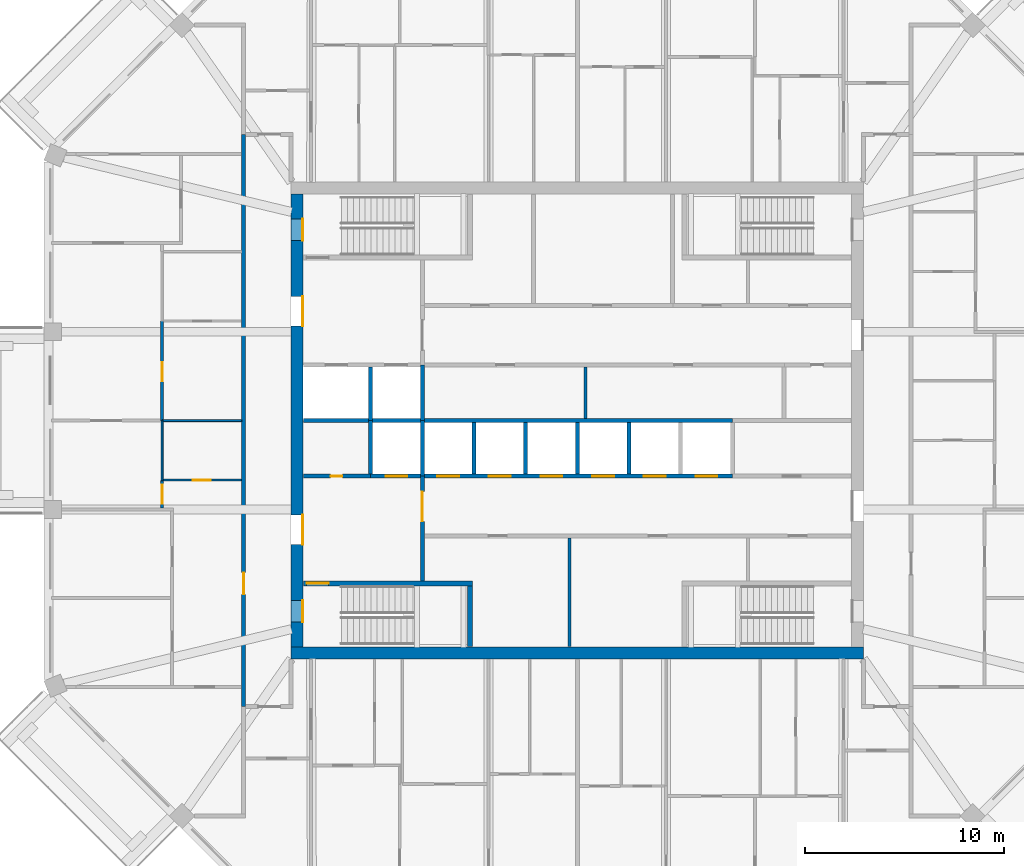
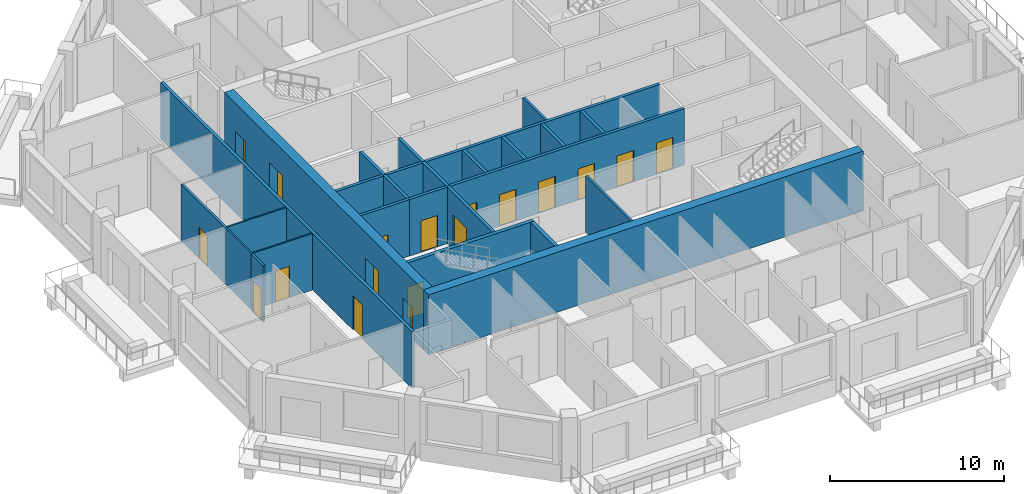
# One storey, part 4 of 13: 24 walls, 18 doors, 18 openings.
"""IFC4 building model written with IfcOpenShell, lengths in metres."""

from ifc_helpers import new_model, si_unit, direction, frame, frame_2d, origin, place, context, subcontext, project, spatial, rectangle, extrude, material, layer, layer_set, type_object, element, fill, save


model = new_model("IFC4")

# Units and contexts
model_context = context("Model", 3, precision=1e-05, world=origin(), true_north=direction((0.0, 1.0)))
body_context = subcontext(model_context, "Body", "Model", "MODEL_VIEW")
ifc_project = project(units=[si_unit("LENGTHUNIT", "METRE"), si_unit("AREAUNIT", "SQUARE_METRE"), si_unit("VOLUMEUNIT", "CUBIC_METRE"), si_unit("PLANEANGLEUNIT", "RADIAN"), si_unit("MASSUNIT", "GRAM", prefix="KILO")], contexts=[model_context])

# Site, building, storey
site_placement = place(None, origin())
site = spatial("IfcSite", under=ifc_project, at=site_placement, CompositionType="ELEMENT")
building_placement = place(site_placement, origin())
building = spatial("IfcBuilding", under=site, at=building_placement, Name="Msitu Wima Residences", CompositionType="ELEMENT")
storey_placement = place(building_placement, frame((0.0, 0.0, 281.10009765625)))
storey = spatial("IfcBuildingStorey", under=building, at=storey_placement, Name="L65", CompositionType="ELEMENT", Elevation=281.10009765625)

# Wall
ifc_material_1 = material(Name="Concrete C50/60", Category="concrete")
ifc_layer_1 = layer(ifc_material_1, 0.60009765625)
ifc_layer_set_1 = layer_set([ifc_layer_1], Name="Concrete C50/60")
wall_type_1 = type_object("IfcWallType", Name="Core wall CW600 C50/60", PredefinedType="SHEAR", material=ifc_layer_set_1)
wall_1_placement = place(storey_placement, frame((-14.39990234375, -11.699951171875, 0.0), z_axis=(0.0, 0.0, 1.0), x_axis=(1.0, 0.0, 0.0)))
element("IfcWall", 1, at=wall_1_placement, inside=storey, type_object=wall_type_1, Name="Core wall", PredefinedType="SHEAR", context=body_context, shape_type="SweptSolid", body=[
    extrude(rectangle(XDim=28.7998046875, YDim=0.60009765625, at=frame_2d((14.39990234375, 0.0))), origin(), (0.0, 0.0, 1.0), 4.199951171875),
])

# Wall, openings, doors
wall_2_placement = place(storey_placement, frame((-14.10009765625, -11.39990234375, 0.0), z_axis=(0.0, 0.0, 1.0), x_axis=(0.0, 1.0, 0.0)))
wall_2 = element("IfcWall", 2, at=wall_2_placement, inside=storey, type_object=wall_type_1, Name="Core wall", PredefinedType="SHEAR", context=body_context, shape_type="SweptSolid", body=[
    extrude(rectangle(XDim=22.7998046875, YDim=0.60009765625, at=frame_2d((11.39990234375, 0.0))), origin(), (0.0, 0.0, 1.0), 4.199951171875),
])
opening_1_placement = place(wall_2_placement, frame((20.449951171875, 0.0, 0.0)))
opening_1 = element("IfcOpeningElement", 3, at=opening_1_placement, cuts=wall_2, Name="Opening D65-67.092", PredefinedType="OPENING", context=body_context, shape_type="SweptSolid", body=[
    extrude(rectangle(XDim=1.10009765625, YDim=2.199951171875, at=frame_2d((0.550048828125, 1.10009765625))), frame((0.0, 0.31005859375, 0.0), z_axis=(0.0, -1.0, 0.0), x_axis=(1.0, 0.0, 0.0)), (0.0, 0.0, 1.0), 0.6201171875),
])
opening_2_placement = place(wall_2_placement, frame((1.25, 0.0, 0.0)))
opening_2 = element("IfcOpeningElement", 4, at=opening_2_placement, cuts=wall_2, Name="Opening D65-67.094", PredefinedType="OPENING", context=body_context, shape_type="SweptSolid", body=[
    extrude(rectangle(XDim=1.10009765625, YDim=2.199951171875, at=frame_2d((0.550048828125, 1.10009765625))), frame((0.0, 0.31005859375, 0.0), z_axis=(0.0, -1.0, 0.0), x_axis=(1.0, 0.0, 0.0)), (0.0, 0.0, 1.0), 0.6201171875),
])
opening_3_placement = place(wall_2_placement, frame((16.14990234375, 0.0, 0.0)))
opening_3 = element("IfcOpeningElement", 5, at=opening_3_placement, cuts=wall_2, Name="Opening D65-67.075", PredefinedType="OPENING", context=body_context, shape_type="SweptSolid", body=[
    extrude(rectangle(XDim=1.5, YDim=2.39990234375, at=frame_2d((0.75, 1.199951171875))), frame((0.0, 0.31005859375, 0.0), z_axis=(0.0, -1.0, 0.0), x_axis=(1.0, 0.0, 0.0)), (0.0, 0.0, 1.0), 0.6201171875),
])
opening_4_placement = place(wall_2_placement, frame((5.14990234375, 0.0, 0.0)))
opening_4 = element("IfcOpeningElement", 6, at=opening_4_placement, cuts=wall_2, Name="Opening D65-67.077", PredefinedType="OPENING", context=body_context, shape_type="SweptSolid", body=[
    extrude(rectangle(XDim=1.5, YDim=2.39990234375, at=frame_2d((0.75, 1.199951171875))), frame((0.0, 0.31005859375, 0.0), z_axis=(0.0, -1.0, 0.0), x_axis=(1.0, 0.0, 0.0)), (0.0, 0.0, 1.0), 0.6201171875),
])
ifc_material_2 = material(Name="Steel framed glazed door, fire resisting", Category="steel")
door_type_1 = type_object("IfcDoorType", Name="Lobby door D07 1500x2400", OperationType="DOUBLE_DOOR_SINGLE_SWING", PredefinedType="DOOR", material=ifc_material_2)
door_1_placement = place(opening_3_placement, origin())
door_1 = element("IfcDoor", 7, at=door_1_placement, inside=storey, type_object=door_type_1, Name="Lobby door", OperationType="DOUBLE_DOOR_SINGLE_SWING", OverallHeight=2.39990234375, OverallWidth=1.5, PredefinedType="DOOR", context=body_context, shape_type="SweptSolid", body=[
    extrude(rectangle(XDim=1.5, YDim=2.39990234375, at=frame_2d((0.75, 1.199951171875))), frame((0.0, -0.2451171875, 0.0), z_axis=(0.0, -1.0, 0.0), x_axis=(1.0, 0.0, 0.0)), (0.0, 0.0, 1.0), 0.050048828125),
])
fill(opening_3, door_1)
door_2_placement = place(opening_4_placement, origin())
door_2 = element("IfcDoor", 8, at=door_2_placement, inside=storey, type_object=door_type_1, Name="Lobby door", OperationType="DOUBLE_DOOR_SINGLE_SWING", OverallHeight=2.39990234375, OverallWidth=1.5, PredefinedType="DOOR", context=body_context, shape_type="SweptSolid", body=[
    extrude(rectangle(XDim=1.5, YDim=2.39990234375, at=frame_2d((0.75, 1.199951171875))), frame((0.0, -0.2451171875, 0.0), z_axis=(0.0, -1.0, 0.0), x_axis=(1.0, 0.0, 0.0)), (0.0, 0.0, 1.0), 0.050048828125),
])
fill(opening_4, door_2)
ifc_material_3 = material(Name="Steel door, fire resisting, panic bar", Category="steel")
door_type_2 = type_object("IfcDoorType", Name="Stair door D06 1100x2200", OperationType="SINGLE_SWING_LEFT", PredefinedType="DOOR", material=ifc_material_3)
door_3_placement = place(opening_1_placement, origin())
door_3 = element("IfcDoor", 9, at=door_3_placement, inside=storey, type_object=door_type_2, Name="Stair door", OperationType="SINGLE_SWING_RIGHT", OverallHeight=2.199951171875, OverallWidth=1.10009765625, PredefinedType="DOOR", context=body_context, shape_type="SweptSolid", body=[
    extrude(rectangle(XDim=1.10009765625, YDim=2.199951171875, at=frame_2d((0.550048828125, 1.10009765625))), frame((0.0, -0.2451171875, 0.0), z_axis=(0.0, -1.0, 0.0), x_axis=(1.0, 0.0, 0.0)), (0.0, 0.0, 1.0), 0.050048828125),
])
fill(opening_1, door_3)
door_4_placement = place(opening_2_placement, origin())
door_4 = element("IfcDoor", 10, at=door_4_placement, inside=storey, type_object=door_type_2, Name="Stair door", OperationType="SINGLE_SWING_LEFT", OverallHeight=2.199951171875, OverallWidth=1.10009765625, PredefinedType="DOOR", context=body_context, shape_type="SweptSolid", body=[
    extrude(rectangle(XDim=1.10009765625, YDim=2.199951171875, at=frame_2d((0.550048828125, 1.10009765625))), frame((0.0, -0.2451171875, 0.0), z_axis=(0.0, -1.0, 0.0), x_axis=(1.0, 0.0, 0.0)), (0.0, 0.0, 1.0), 0.050048828125),
])
fill(opening_2, door_4)

# Wall, opening, door
ifc_material_4 = material(Name="Plaster")
ifc_layer_2 = layer(ifc_material_4, 0.011962890625, Name="Plaster")
ifc_material_5 = material(Name="Concrete blockwork", Category="masonry")
ifc_layer_3 = layer(ifc_material_5, 0.176025390625, Name="Concrete blockwork")
ifc_layer_4 = layer(ifc_material_4, 0.011962890625, Name="Plaster")
ifc_layer_set_2 = layer_set([ifc_layer_2, ifc_layer_3, ifc_layer_4], Name="Concrete blockwork")
wall_type_2 = type_object("IfcWallType", Name="Corridor wall FW200", PredefinedType="PARTITIONING", material=ifc_layer_set_2)
wall_3_placement = place(storey_placement, frame((-16.800048828125, -14.39990234375, 0.0), z_axis=(0.0, 0.0, 1.0), x_axis=(0.0, 1.0, 0.0)))
wall_3 = element("IfcWall", 11, at=wall_3_placement, inside=storey, type_object=wall_type_2, Name="Corridor wall", PredefinedType="PARTITIONING", context=body_context, shape_type="SweptSolid", body=[
    extrude(rectangle(XDim=28.7998046875, YDim=0.199951171875, at=frame_2d((14.39990234375, 0.0))), origin(), (0.0, 0.0, 1.0), 3.949951171875),
])
opening_5_placement = place(wall_3_placement, frame((5.64990234375, 0.0, 0.0)))
opening_5 = element("IfcOpeningElement", 12, at=opening_5_placement, cuts=wall_3, Name="Opening D65-67.042", PredefinedType="OPENING", context=body_context, shape_type="SweptSolid", body=[
    extrude(rectangle(XDim=1.10009765625, YDim=2.39990234375, at=frame_2d((0.550048828125, 1.199951171875))), frame((0.0, 0.10986328125, 0.0), z_axis=(0.0, -1.0, 0.0), x_axis=(1.0, 0.0, 0.0)), (0.0, 0.0, 1.0), 0.219970703125),
])
ifc_material_6 = material(Name="Timber flush door, fire resisting, self-closing", Category="wood")
door_type_3 = type_object("IfcDoorType", Name="Flat entrance door D01 1100x2400", OperationType="SINGLE_SWING_LEFT", PredefinedType="DOOR", material=ifc_material_6)
door_5_placement = place(opening_5_placement, origin())
door_5 = element("IfcDoor", 13, at=door_5_placement, inside=storey, type_object=door_type_3, Name="Flat entrance door", OperationType="SINGLE_SWING_LEFT", OverallHeight=2.39990234375, OverallWidth=1.10009765625, PredefinedType="DOOR", context=body_context, shape_type="SweptSolid", body=[
    extrude(rectangle(XDim=1.10009765625, YDim=2.39990234375, at=frame_2d((0.550048828125, 1.199951171875))), frame((0.0, 0.02490234375, 0.0), z_axis=(0.0, -1.0, 0.0), x_axis=(1.0, 0.0, 0.0)), (0.0, 0.0, 1.0), 0.050048828125),
])
fill(opening_5, door_5)

wall_4_placement = place(storey_placement, frame((-7.800048828125, -8.074951171875, 0.0), z_axis=(0.0, 0.0, 1.0), x_axis=(0.0, 1.0, 0.0)))
wall_4 = element("IfcWall", 14, at=wall_4_placement, inside=storey, type_object=wall_type_2, Name="Corridor wall", PredefinedType="PARTITIONING", context=body_context, shape_type="SweptSolid", body=[
    extrude(rectangle(XDim=5.27490234375, YDim=0.199951171875, at=frame_2d((2.637451171875, 0.0))), origin(), (0.0, 0.0, 1.0), 3.949951171875),
])
opening_6_placement = place(wall_4_placement, frame((3.0, 0.0, 0.0)))
opening_6 = element("IfcOpeningElement", 15, at=opening_6_placement, cuts=wall_4, Name="Opening D65-67.078", PredefinedType="OPENING", context=body_context, shape_type="SweptSolid", body=[
    extrude(rectangle(XDim=1.5, YDim=2.39990234375, at=frame_2d((0.75, 1.199951171875))), frame((0.0, 0.10986328125, 0.0), z_axis=(0.0, -1.0, 0.0), x_axis=(1.0, 0.0, 0.0)), (0.0, 0.0, 1.0), 0.219970703125),
])
door_6_placement = place(opening_6_placement, origin())
door_6 = element("IfcDoor", 16, at=door_6_placement, inside=storey, type_object=door_type_1, Name="Lobby door", OperationType="DOUBLE_DOOR_SINGLE_SWING", OverallHeight=2.39990234375, OverallWidth=1.5, PredefinedType="DOOR", context=body_context, shape_type="SweptSolid", body=[
    extrude(rectangle(XDim=1.5, YDim=2.39990234375, at=frame_2d((0.75, 1.199951171875))), frame((0.0, 0.02490234375, 0.0), z_axis=(0.0, -1.0, 0.0), x_axis=(1.0, 0.0, 0.0)), (0.0, 0.0, 1.0), 0.050048828125),
])
fill(opening_6, door_6)

ifc_layer_5 = layer(ifc_material_4, 0.011962890625, Name="Plaster")
ifc_layer_6 = layer(ifc_material_5, 0.1259765625, Name="Concrete blockwork")
ifc_layer_7 = layer(ifc_material_4, 0.011962890625, Name="Plaster")
ifc_layer_set_3 = layer_set([ifc_layer_5, ifc_layer_6, ifc_layer_7], Name="Concrete blockwork")
wall_type_3 = type_object("IfcWallType", Name="Partition PW150", PredefinedType="PARTITIONING", material=ifc_layer_set_3)
wall_5_placement = place(storey_placement, frame((-20.89990234375, -4.3935546875, 0.0), z_axis=(0.0, 0.0, 1.0), x_axis=(0.0, 1.0, 0.0)))
wall_5 = element("IfcWall", 17, at=wall_5_placement, inside=storey, type_object=wall_type_3, Name="Partition", PredefinedType="PARTITIONING", context=body_context, shape_type="SweptSolid", body=[
    extrude(rectangle(XDim=1.37353515625, YDim=0.14990234375, at=frame_2d((0.686767578125, 0.0))), origin(), (0.0, 0.0, 1.0), 3.949951171875),
])
opening_7_placement = place(wall_5_placement, frame((0.199951171875, 0.0, 0.0)))
opening_7 = element("IfcOpeningElement", 18, at=opening_7_placement, cuts=wall_5, Name="Opening D65-67.049", PredefinedType="OPENING", context=body_context, shape_type="SweptSolid", body=[
    extrude(rectangle(XDim=0.949951171875, YDim=2.199951171875, at=frame_2d((0.47509765625, 1.10009765625))), frame((0.0, 0.0849609375, 0.0), z_axis=(0.0, -1.0, 0.0), x_axis=(1.0, 0.0, 0.0)), (0.0, 0.0, 1.0), 0.169921875),
])
ifc_material_7 = material(Name="Timber flush door", Category="wood")
door_type_4 = type_object("IfcDoorType", Name="Room door D12 950x2200", OperationType="SINGLE_SWING_LEFT", PredefinedType="DOOR", material=ifc_material_7)
door_7_placement = place(opening_7_placement, origin())
door_7 = element("IfcDoor", 19, at=door_7_placement, inside=storey, type_object=door_type_4, Name="Room door", OperationType="SINGLE_SWING_LEFT", OverallHeight=2.199951171875, OverallWidth=0.949951171875, PredefinedType="DOOR", context=body_context, shape_type="SweptSolid", body=[
    extrude(rectangle(XDim=0.949951171875, YDim=2.199951171875, at=frame_2d((0.47509765625, 1.10009765625))), frame((0.0, 0.02490234375, 0.0), z_axis=(0.0, -1.0, 0.0), x_axis=(1.0, 0.0, 0.0)), (0.0, 0.0, 1.0), 0.050048828125),
])
fill(opening_7, door_7)

wall_6_placement = place(storey_placement, frame((-20.89990234375, -0.02001953125, 0.0), z_axis=(0.0, 0.0, 1.0), x_axis=(0.0, 1.0, 0.0)))
wall_6 = element("IfcWall", 20, at=wall_6_placement, inside=storey, type_object=wall_type_3, Name="Partition", PredefinedType="PARTITIONING", context=body_context, shape_type="SweptSolid", body=[
    extrude(rectangle(XDim=5.02001953125, YDim=0.14990234375, at=frame_2d((2.510009765625, 0.0))), origin(), (0.0, 0.0, 1.0), 3.949951171875),
])
opening_8_placement = place(wall_6_placement, frame((2.0, 0.0, 0.0)))
opening_8 = element("IfcOpeningElement", 21, at=opening_8_placement, cuts=wall_6, Name="Opening D65-67.053", PredefinedType="OPENING", context=body_context, shape_type="SweptSolid", body=[
    extrude(rectangle(XDim=0.949951171875, YDim=2.199951171875, at=frame_2d((0.47509765625, 1.10009765625))), frame((0.0, 0.0849609375, 0.0), z_axis=(0.0, -1.0, 0.0), x_axis=(1.0, 0.0, 0.0)), (0.0, 0.0, 1.0), 0.169921875),
])
door_8_placement = place(opening_8_placement, origin())
door_8 = element("IfcDoor", 22, at=door_8_placement, inside=storey, type_object=door_type_4, Name="Room door", OperationType="SINGLE_SWING_LEFT", OverallHeight=2.199951171875, OverallWidth=0.949951171875, PredefinedType="DOOR", context=body_context, shape_type="SweptSolid", body=[
    extrude(rectangle(XDim=0.949951171875, YDim=2.199951171875, at=frame_2d((0.47509765625, 1.10009765625))), frame((0.0, 0.02490234375, 0.0), z_axis=(0.0, -1.0, 0.0), x_axis=(1.0, 0.0, 0.0)), (0.0, 0.0, 1.0), 0.050048828125),
])
fill(opening_8, door_8)

# Walls
wall_7_placement = place(storey_placement, frame((-0.39990234375, -11.3701171875, 0.0), z_axis=(0.0, 0.0, 1.0), x_axis=(0.0, 1.0, 0.0)))
element("IfcWall", 23, at=wall_7_placement, inside=storey, type_object=wall_type_3, Name="Partition", PredefinedType="PARTITIONING", context=body_context, shape_type="SweptSolid", body=[
    extrude(rectangle(XDim=5.47021484375, YDim=0.14990234375, at=frame_2d((2.735107421875, 0.0))), origin(), (0.0, 0.0, 1.0), 3.949951171875),
])
wall_8_placement = place(storey_placement, frame((0.39990234375, 0.10009765625, 0.0), z_axis=(0.0, 0.0, 1.0), x_axis=(0.0, 1.0, 0.0)))
element("IfcWall", 24, at=wall_8_placement, inside=storey, type_object=wall_type_3, Name="Partition", PredefinedType="PARTITIONING", context=body_context, shape_type="SweptSolid", body=[
    extrude(rectangle(XDim=2.599853515625, YDim=0.14990234375, at=frame_2d((1.2998046875, 0.0))), origin(), (0.0, 0.0, 1.0), 3.949951171875),
])

# Wall, opening, door
ifc_layer_8 = layer(ifc_material_4, 0.011962890625, Name="Plaster")
ifc_material_8 = material(Name="Reinforced concrete blockwork", Category="masonry")
ifc_layer_9 = layer(ifc_material_8, 0.176025390625, Name="Reinforced concrete blockwork")
ifc_layer_10 = layer(ifc_material_4, 0.011962890625, Name="Plaster")
ifc_layer_set_4 = layer_set([ifc_layer_8, ifc_layer_9, ifc_layer_10], Name="Reinforced concrete blockwork")
wall_type_4 = type_object("IfcWallType", Name="Plant and riser wall PL200", PredefinedType="PARTITIONING", material=ifc_layer_set_4)
wall_9_placement = place(storey_placement, frame((-13.77001953125, -2.800048828125, 0.0), z_axis=(0.0, 0.0, 1.0), x_axis=(1.0, 0.0, 0.0)))
wall_9 = element("IfcWall", 25, at=wall_9_placement, inside=storey, type_object=wall_type_4, Name="Plant and riser wall", PredefinedType="PARTITIONING", context=body_context, shape_type="SweptSolid", body=[
    extrude(rectangle(XDim=3.3701171875, YDim=0.199951171875, at=frame_2d((1.68505859375, 0.0))), origin(), (0.0, 0.0, 1.0), 3.949951171875),
])
opening_9_placement = place(wall_9_placement, frame((1.35009765625, 0.0, 0.0)))
opening_9 = element("IfcOpeningElement", 26, at=opening_9_placement, cuts=wall_9, Name="Opening D65-67.091", PredefinedType="OPENING", context=body_context, shape_type="SweptSolid", body=[
    extrude(rectangle(XDim=0.60009765625, YDim=2.0, at=frame_2d((0.300048828125, 1.0))), frame((0.0, 0.10986328125, 0.0), z_axis=(0.0, -1.0, 0.0), x_axis=(1.0, 0.0, 0.0)), (0.0, 0.0, 1.0), 0.219970703125),
])
ifc_material_9 = material(Name="Steel access door, fire resisting", Category="steel")
door_type_5 = type_object("IfcDoorType", Name="Riser access door D08 600x2000", OperationType="SINGLE_SWING_LEFT", PredefinedType="DOOR", material=ifc_material_9)
door_9_placement = place(opening_9_placement, origin())
door_9 = element("IfcDoor", 27, at=door_9_placement, inside=storey, type_object=door_type_5, Name="Riser access door", OperationType="SINGLE_SWING_RIGHT", OverallHeight=2.0, OverallWidth=0.60009765625, PredefinedType="DOOR", context=body_context, shape_type="SweptSolid", body=[
    extrude(rectangle(XDim=0.60009765625, YDim=2.0, at=frame_2d((0.300048828125, 1.0))), frame((0.0, 0.02490234375, 0.0), z_axis=(0.0, -1.0, 0.0), x_axis=(1.0, 0.0, 0.0)), (0.0, 0.0, 1.0), 0.050048828125),
])
fill(opening_9, door_9)

# Walls
ifc_material_10 = material(Name="Fire-rated board")
ifc_layer_11 = layer(ifc_material_10, 0.02490234375, Name="Fire-rated board")
ifc_material_11 = material(Name="Light-gauge stud framing with mineral wool")
ifc_layer_12 = layer(ifc_material_11, 0.14990234375, Name="Light-gauge stud framing with mineral wool")
ifc_layer_13 = layer(ifc_material_10, 0.02490234375, Name="Fire-rated board")
ifc_layer_set_5 = layer_set([ifc_layer_11, ifc_layer_12, ifc_layer_13], Name="Light-gauge stud framing with mineral wool")
wall_type_5 = type_object("IfcWallType", Name="Shaft wall SH200", PredefinedType="PARTITIONING", material=ifc_layer_set_5)
wall_10_placement = place(storey_placement, frame((-13.77001953125, 0.0, 0.0), z_axis=(0.0, 0.0, 1.0), x_axis=(1.0, 0.0, 0.0)))
element("IfcWall", 28, at=wall_10_placement, inside=storey, type_object=wall_type_5, Name="Shaft wall", PredefinedType="PARTITIONING", context=body_context, shape_type="SweptSolid", body=[
    extrude(rectangle(XDim=21.570068359375, YDim=0.199951171875, at=frame_2d((10.78515625, 0.0))), origin(), (0.0, 0.0, 1.0), 3.949951171875),
])
wall_11_placement = place(storey_placement, frame((-10.39990234375, -2.699951171875, 0.0), z_axis=(0.0, 0.0, 1.0), x_axis=(0.0, 1.0, 0.0)))
element("IfcWall", 29, at=wall_11_placement, inside=storey, type_object=wall_type_5, Name="Shaft wall", PredefinedType="PARTITIONING", context=body_context, shape_type="SweptSolid", body=[
    extrude(rectangle(XDim=2.699951171875, YDim=0.199951171875, at=frame_2d((1.35009765625, 0.0))), origin(), (0.0, 0.0, 1.0), 3.949951171875),
])

# Wall, openings, doors
wall_12_placement = place(storey_placement, frame((-10.39990234375, -2.800048828125, 0.0), z_axis=(0.0, 0.0, 1.0), x_axis=(1.0, 0.0, 0.0)))
wall_12 = element("IfcWall", 30, at=wall_12_placement, inside=storey, type_object=wall_type_5, Name="Shaft wall", PredefinedType="PARTITIONING", context=body_context, shape_type="SweptSolid", body=[
    extrude(rectangle(XDim=18.199951171875, YDim=0.199951171875, at=frame_2d((9.10009765625, 0.0))), origin(), (0.0, 0.0, 1.0), 3.949951171875),
])
opening_10_placement = place(wall_12_placement, frame((0.75, 0.0, 0.0)))
opening_10 = element("IfcOpeningElement", 31, at=opening_10_placement, cuts=wall_12, Name="Opening LD", PredefinedType="OPENING", context=body_context, shape_type="SweptSolid", body=[
    extrude(rectangle(XDim=1.10009765625, YDim=2.199951171875, at=frame_2d((0.550048828125, 1.10009765625))), frame((0.0, 0.10986328125, 0.0), z_axis=(0.0, -1.0, 0.0), x_axis=(1.0, 0.0, 0.0)), (0.0, 0.0, 1.0), 0.219970703125),
])
opening_11_placement = place(wall_12_placement, frame((3.35009765625, 0.0, 0.0)))
opening_11 = element("IfcOpeningElement", 32, at=opening_11_placement, cuts=wall_12, Name="Opening LD", PredefinedType="OPENING", context=body_context, shape_type="SweptSolid", body=[
    extrude(rectangle(XDim=1.10009765625, YDim=2.199951171875, at=frame_2d((0.550048828125, 1.10009765625))), frame((0.0, 0.10986328125, 0.0), z_axis=(0.0, -1.0, 0.0), x_axis=(1.0, 0.0, 0.0)), (0.0, 0.0, 1.0), 0.219970703125),
])
opening_12_placement = place(wall_12_placement, frame((5.949951171875, 0.0, 0.0)))
opening_12 = element("IfcOpeningElement", 33, at=opening_12_placement, cuts=wall_12, Name="Opening LD", PredefinedType="OPENING", context=body_context, shape_type="SweptSolid", body=[
    extrude(rectangle(XDim=1.10009765625, YDim=2.199951171875, at=frame_2d((0.550048828125, 1.10009765625))), frame((0.0, 0.10986328125, 0.0), z_axis=(0.0, -1.0, 0.0), x_axis=(1.0, 0.0, 0.0)), (0.0, 0.0, 1.0), 0.219970703125),
])
opening_13_placement = place(wall_12_placement, frame((8.550048828125, 0.0, 0.0)))
opening_13 = element("IfcOpeningElement", 34, at=opening_13_placement, cuts=wall_12, Name="Opening LD", PredefinedType="OPENING", context=body_context, shape_type="SweptSolid", body=[
    extrude(rectangle(XDim=1.10009765625, YDim=2.199951171875, at=frame_2d((0.550048828125, 1.10009765625))), frame((0.0, 0.10986328125, 0.0), z_axis=(0.0, -1.0, 0.0), x_axis=(1.0, 0.0, 0.0)), (0.0, 0.0, 1.0), 0.219970703125),
])
opening_14_placement = place(wall_12_placement, frame((11.14990234375, 0.0, 0.0)))
opening_14 = element("IfcOpeningElement", 35, at=opening_14_placement, cuts=wall_12, Name="Opening LD", PredefinedType="OPENING", context=body_context, shape_type="SweptSolid", body=[
    extrude(rectangle(XDim=1.10009765625, YDim=2.199951171875, at=frame_2d((0.550048828125, 1.10009765625))), frame((0.0, 0.10986328125, 0.0), z_axis=(0.0, -1.0, 0.0), x_axis=(1.0, 0.0, 0.0)), (0.0, 0.0, 1.0), 0.219970703125),
])
opening_15_placement = place(wall_12_placement, frame((13.75, 0.0, 0.0)))
opening_15 = element("IfcOpeningElement", 36, at=opening_15_placement, cuts=wall_12, Name="Opening LD", PredefinedType="OPENING", context=body_context, shape_type="SweptSolid", body=[
    extrude(rectangle(XDim=1.10009765625, YDim=2.199951171875, at=frame_2d((0.550048828125, 1.10009765625))), frame((0.0, 0.10986328125, 0.0), z_axis=(0.0, -1.0, 0.0), x_axis=(1.0, 0.0, 0.0)), (0.0, 0.0, 1.0), 0.219970703125),
])
opening_16_placement = place(wall_12_placement, frame((16.35009765625, 0.0, 0.0)))
opening_16 = element("IfcOpeningElement", 37, at=opening_16_placement, cuts=wall_12, Name="Opening LD", PredefinedType="OPENING", context=body_context, shape_type="SweptSolid", body=[
    extrude(rectangle(XDim=1.10009765625, YDim=2.199951171875, at=frame_2d((0.550048828125, 1.10009765625))), frame((0.0, 0.10986328125, 0.0), z_axis=(0.0, -1.0, 0.0), x_axis=(1.0, 0.0, 0.0)), (0.0, 0.0, 1.0), 0.219970703125),
])
ifc_material_12 = material(Name="Stainless steel centre-opening landing door, rated", Category="steel")
door_type_6 = type_object("IfcDoorType", Name="Lift landing door LD 1100x2200", OperationType="DOUBLE_DOOR_SLIDING", PredefinedType="DOOR", material=ifc_material_12)
door_10_placement = place(opening_10_placement, origin())
door_10 = element("IfcDoor", 38, at=door_10_placement, inside=storey, type_object=door_type_6, Name="Lift landing door LD3", OperationType="DOUBLE_DOOR_SLIDING", OverallHeight=2.199951171875, OverallWidth=1.10009765625, PredefinedType="DOOR", context=body_context, shape_type="SweptSolid", body=[
    extrude(rectangle(XDim=1.10009765625, YDim=2.199951171875, at=frame_2d((0.550048828125, 1.10009765625))), frame((0.0, 0.02490234375, 0.0), z_axis=(0.0, -1.0, 0.0), x_axis=(1.0, 0.0, 0.0)), (0.0, 0.0, 1.0), 0.050048828125),
])
fill(opening_10, door_10)
door_11_placement = place(opening_11_placement, origin())
door_11 = element("IfcDoor", 39, at=door_11_placement, inside=storey, type_object=door_type_6, Name="Lift landing door LD5", OperationType="DOUBLE_DOOR_SLIDING", OverallHeight=2.199951171875, OverallWidth=1.10009765625, PredefinedType="DOOR", context=body_context, shape_type="SweptSolid", body=[
    extrude(rectangle(XDim=1.10009765625, YDim=2.199951171875, at=frame_2d((0.550048828125, 1.10009765625))), frame((0.0, 0.02490234375, 0.0), z_axis=(0.0, -1.0, 0.0), x_axis=(1.0, 0.0, 0.0)), (0.0, 0.0, 1.0), 0.050048828125),
])
fill(opening_11, door_11)
door_12_placement = place(opening_12_placement, origin())
door_12 = element("IfcDoor", 40, at=door_12_placement, inside=storey, type_object=door_type_6, Name="Lift landing door LD7", OperationType="DOUBLE_DOOR_SLIDING", OverallHeight=2.199951171875, OverallWidth=1.10009765625, PredefinedType="DOOR", context=body_context, shape_type="SweptSolid", body=[
    extrude(rectangle(XDim=1.10009765625, YDim=2.199951171875, at=frame_2d((0.550048828125, 1.10009765625))), frame((0.0, 0.02490234375, 0.0), z_axis=(0.0, -1.0, 0.0), x_axis=(1.0, 0.0, 0.0)), (0.0, 0.0, 1.0), 0.050048828125),
])
fill(opening_12, door_12)
door_13_placement = place(opening_13_placement, origin())
door_13 = element("IfcDoor", 41, at=door_13_placement, inside=storey, type_object=door_type_6, Name="Lift landing door LD9", OperationType="DOUBLE_DOOR_SLIDING", OverallHeight=2.199951171875, OverallWidth=1.10009765625, PredefinedType="DOOR", context=body_context, shape_type="SweptSolid", body=[
    extrude(rectangle(XDim=1.10009765625, YDim=2.199951171875, at=frame_2d((0.550048828125, 1.10009765625))), frame((0.0, 0.02490234375, 0.0), z_axis=(0.0, -1.0, 0.0), x_axis=(1.0, 0.0, 0.0)), (0.0, 0.0, 1.0), 0.050048828125),
])
fill(opening_13, door_13)
door_14_placement = place(opening_14_placement, origin())
door_14 = element("IfcDoor", 42, at=door_14_placement, inside=storey, type_object=door_type_6, Name="Lift landing door LD11", OperationType="DOUBLE_DOOR_SLIDING", OverallHeight=2.199951171875, OverallWidth=1.10009765625, PredefinedType="DOOR", context=body_context, shape_type="SweptSolid", body=[
    extrude(rectangle(XDim=1.10009765625, YDim=2.199951171875, at=frame_2d((0.550048828125, 1.10009765625))), frame((0.0, 0.02490234375, 0.0), z_axis=(0.0, -1.0, 0.0), x_axis=(1.0, 0.0, 0.0)), (0.0, 0.0, 1.0), 0.050048828125),
])
fill(opening_14, door_14)
door_15_placement = place(opening_15_placement, origin())
door_15 = element("IfcDoor", 43, at=door_15_placement, inside=storey, type_object=door_type_6, Name="Lift landing door LD13", OperationType="DOUBLE_DOOR_SLIDING", OverallHeight=2.199951171875, OverallWidth=1.10009765625, PredefinedType="DOOR", context=body_context, shape_type="SweptSolid", body=[
    extrude(rectangle(XDim=1.10009765625, YDim=2.199951171875, at=frame_2d((0.550048828125, 1.10009765625))), frame((0.0, 0.02490234375, 0.0), z_axis=(0.0, -1.0, 0.0), x_axis=(1.0, 0.0, 0.0)), (0.0, 0.0, 1.0), 0.050048828125),
])
fill(opening_15, door_15)
door_16_placement = place(opening_16_placement, origin())
door_16 = element("IfcDoor", 44, at=door_16_placement, inside=storey, type_object=door_type_6, Name="Lift landing door LD15", OperationType="DOUBLE_DOOR_SLIDING", OverallHeight=2.199951171875, OverallWidth=1.10009765625, PredefinedType="DOOR", context=body_context, shape_type="SweptSolid", body=[
    extrude(rectangle(XDim=1.10009765625, YDim=2.199951171875, at=frame_2d((0.550048828125, 1.10009765625))), frame((0.0, 0.02490234375, 0.0), z_axis=(0.0, -1.0, 0.0), x_axis=(1.0, 0.0, 0.0)), (0.0, 0.0, 1.0), 0.050048828125),
])
fill(opening_16, door_16)

# Walls
wall_13_placement = place(storey_placement, frame((-10.39990234375, 0.0, 0.0), z_axis=(0.0, 0.0, 1.0), x_axis=(0.0, 1.0, 0.0)))
element("IfcWall", 45, at=wall_13_placement, inside=storey, type_object=wall_type_5, Name="Shaft wall", PredefinedType="PARTITIONING", context=body_context, shape_type="SweptSolid", body=[
    extrude(rectangle(XDim=2.699951171875, YDim=0.199951171875, at=frame_2d((1.35009765625, 0.0))), origin(), (0.0, 0.0, 1.0), 3.949951171875),
])
for number, where, z_axis, x_axis, name in (
    (46, (-7.800048828125, -2.800048828125, 0.0), (0.0, 0.0, 1.0), (0.0, 1.0, 0.0), "Shaft wall"),
    (47, (-7.800048828125, 0.0, 0.0), (0.0, 0.0, 1.0), (0.0, 1.0, 0.0), "Shaft wall"),
):
    element("IfcWall", number, at=place(storey_placement, frame(where, z_axis=z_axis, x_axis=x_axis)), inside=storey, type_object=wall_type_5, Name=name, PredefinedType="PARTITIONING", context=body_context, shape_type="SweptSolid", body=[
        extrude(rectangle(XDim=2.800048828125, YDim=0.199951171875, at=frame_2d((1.39990234375, 0.0))), origin(), (0.0, 0.0, 1.0), 3.949951171875),
    ])
for number, where, z_axis, x_axis, name in (
    (48, (-5.199951171875, -2.699951171875, 0.0), (0.0, 0.0, 1.0), (0.0, 1.0, 0.0), "Shaft wall"),
    (49, (-2.60009765625, -2.699951171875, 0.0), (0.0, 0.0, 1.0), (0.0, 1.0, 0.0), "Shaft wall"),
    (50, (0.0, -2.699951171875, 0.0), (0.0, 0.0, 1.0), (0.0, 1.0, 0.0), "Shaft wall"),
    (51, (2.60009765625, -2.699951171875, 0.0), (0.0, 0.0, 1.0), (0.0, 1.0, 0.0), "Shaft wall"),
):
    element("IfcWall", number, at=place(storey_placement, frame(where, z_axis=z_axis, x_axis=x_axis)), inside=storey, type_object=wall_type_5, Name=name, PredefinedType="PARTITIONING", context=body_context, shape_type="SweptSolid", body=[
        extrude(rectangle(XDim=2.599853515625, YDim=0.199951171875, at=frame_2d((1.2998046875, 0.0))), origin(), (0.0, 0.0, 1.0), 3.949951171875),
    ])

# Wall, opening, door
ifc_layer_14 = layer(ifc_material_1, 0.25)
ifc_layer_set_6 = layer_set([ifc_layer_14], Name="Concrete C50/60")
wall_type_6 = type_object("IfcWallType", Name="Stair enclosure wall SW250", PredefinedType="SHEAR", material=ifc_layer_set_6)
wall_14_placement = place(storey_placement, frame((-13.77001953125, -8.199951171875, 0.0), z_axis=(0.0, 0.0, 1.0), x_axis=(1.0, 0.0, 0.0)))
wall_14 = element("IfcWall", 52, at=wall_14_placement, inside=storey, type_object=wall_type_6, Name="Stair enclosure wall", PredefinedType="SHEAR", context=body_context, shape_type="SweptSolid", body=[
    extrude(rectangle(XDim=8.4951171875, YDim=0.25, at=frame_2d((4.24755859375, 0.0))), origin(), (0.0, 0.0, 1.0), 3.949951171875),
])
opening_17_placement = place(wall_14_placement, frame((0.14990234375, 0.0, 0.0)))
opening_17 = element("IfcOpeningElement", 53, at=opening_17_placement, cuts=wall_14, Name="Opening D65-67.095", PredefinedType="OPENING", context=body_context, shape_type="SweptSolid", body=[
    extrude(rectangle(XDim=1.10009765625, YDim=2.199951171875, at=frame_2d((0.550048828125, 1.10009765625))), frame((0.0, 0.135009765625, 0.0), z_axis=(0.0, -1.0, 0.0), x_axis=(1.0, 0.0, 0.0)), (0.0, 0.0, 1.0), 0.27001953125),
])
door_17_placement = place(opening_17_placement, origin())
door_17 = element("IfcDoor", 54, at=door_17_placement, inside=storey, type_object=door_type_2, Name="Stair door", OperationType="SINGLE_SWING_RIGHT", OverallHeight=2.199951171875, OverallWidth=1.10009765625, PredefinedType="DOOR", context=body_context, shape_type="SweptSolid", body=[
    extrude(rectangle(XDim=1.10009765625, YDim=2.199951171875, at=frame_2d((0.550048828125, 1.10009765625))), frame((0.0, 0.02490234375, 0.0), z_axis=(0.0, -1.0, 0.0), x_axis=(1.0, 0.0, 0.0)), (0.0, 0.0, 1.0), 0.050048828125),
])
fill(opening_17, door_17)

# Walls
wall_15_placement = place(storey_placement, frame((-5.39990234375, -11.3701171875, 0.0), z_axis=(0.0, 0.0, 1.0), x_axis=(0.0, 1.0, 0.0)))
element("IfcWall", 55, at=wall_15_placement, inside=storey, type_object=wall_type_6, Name="Stair enclosure wall", PredefinedType="SHEAR", context=body_context, shape_type="SweptSolid", body=[
    extrude(rectangle(XDim=3.045166015625, YDim=0.25, at=frame_2d((1.5224609375, 0.0))), origin(), (0.0, 0.0, 1.0), 3.949951171875),
])
ifc_material_13 = material(Name="Ceramic tiles")
ifc_layer_15 = layer(ifc_material_13, 0.008056640625, Name="Ceramic tiles")
ifc_material_14 = material(Name="Moisture-resistant board")
ifc_layer_16 = layer(ifc_material_14, 0.012451171875, Name="Moisture-resistant board")
ifc_layer_17 = layer(ifc_material_11, 0.06689453125, Name="Light-gauge stud framing with mineral wool")
ifc_layer_18 = layer(ifc_material_14, 0.012451171875, Name="Moisture-resistant board")
ifc_layer_set_7 = layer_set([ifc_layer_15, ifc_layer_16, ifc_layer_17, ifc_layer_18], Name="Light-gauge stud framing with mineral wool")
wall_type_7 = type_object("IfcWallType", Name="Wet wall PW100", PredefinedType="PARTITIONING", material=ifc_layer_set_7)
wall_16_placement = place(storey_placement, frame((-20.89990234375, -3.02001953125, 0.0), z_axis=(0.0, 0.0, 1.0), x_axis=(0.0, 1.0, 0.0)))
element("IfcWall", 56, at=wall_16_placement, inside=storey, type_object=wall_type_7, Name="Wet wall", PredefinedType="PARTITIONING", context=body_context, shape_type="SweptSolid", body=[
    extrude(rectangle(XDim=3.0, YDim=0.10009765625, at=frame_2d((1.5, 0.0))), origin(), (0.0, 0.0, 1.0), 3.949951171875),
])

# Wall, opening, door
wall_17_placement = place(storey_placement, frame((-20.85009765625, -3.0, 0.0), z_axis=(0.0, 0.0, 1.0), x_axis=(1.0, 0.0, 0.0)))
wall_17 = element("IfcWall", 57, at=wall_17_placement, inside=storey, type_object=wall_type_7, Name="Wet wall", PredefinedType="PARTITIONING", context=body_context, shape_type="SweptSolid", body=[
    extrude(rectangle(XDim=3.9501953125, YDim=0.10009765625, at=frame_2d((1.97509765625, 0.0))), origin(), (0.0, 0.0, 1.0), 3.949951171875),
])
opening_18_placement = place(wall_17_placement, frame((1.5, 0.0, 0.0)))
opening_18 = element("IfcOpeningElement", 58, at=opening_18_placement, cuts=wall_17, Name="Opening D65-67.046", PredefinedType="OPENING", context=body_context, shape_type="SweptSolid", body=[
    extrude(rectangle(XDim=0.89990234375, YDim=2.199951171875, at=frame_2d((0.449951171875, 1.10009765625))), frame((0.0, 0.06005859375, 0.0), z_axis=(0.0, -1.0, 0.0), x_axis=(1.0, 0.0, 0.0)), (0.0, 0.0, 1.0), 0.1201171875),
])
ifc_material_15 = material(Name="Timber flush door, moisture resistant", Category="wood")
door_type_7 = type_object("IfcDoorType", Name="Bathroom door D03 900x2200", OperationType="SINGLE_SWING_LEFT", PredefinedType="DOOR", material=ifc_material_15)
door_18_placement = place(opening_18_placement, origin())
door_18 = element("IfcDoor", 59, at=door_18_placement, inside=storey, type_object=door_type_7, Name="Bathroom door", OperationType="SINGLE_SWING_LEFT", OverallHeight=2.199951171875, OverallWidth=0.89990234375, PredefinedType="DOOR", context=body_context, shape_type="SweptSolid", body=[
    extrude(rectangle(XDim=0.89990234375, YDim=2.199951171875, at=frame_2d((0.449951171875, 1.10009765625))), frame((0.0, 0.02490234375, 0.0), z_axis=(0.0, -1.0, 0.0), x_axis=(1.0, 0.0, 0.0)), (0.0, 0.0, 1.0), 0.050048828125),
])
fill(opening_18, door_18)

# Wall
wall_18_placement = place(storey_placement, frame((-20.8798828125, 0.0, 0.0), z_axis=(0.0, 0.0, 1.0), x_axis=(1.0, 0.0, 0.0)))
element("IfcWall", 60, at=wall_18_placement, inside=storey, type_object=wall_type_7, Name="Wet wall", PredefinedType="PARTITIONING", context=body_context, shape_type="SweptSolid", body=[
    extrude(rectangle(XDim=3.97998046875, YDim=0.10009765625, at=frame_2d((1.989990234375, 0.0))), origin(), (0.0, 0.0, 1.0), 3.949951171875),
])

save(model, "model.ifc")
